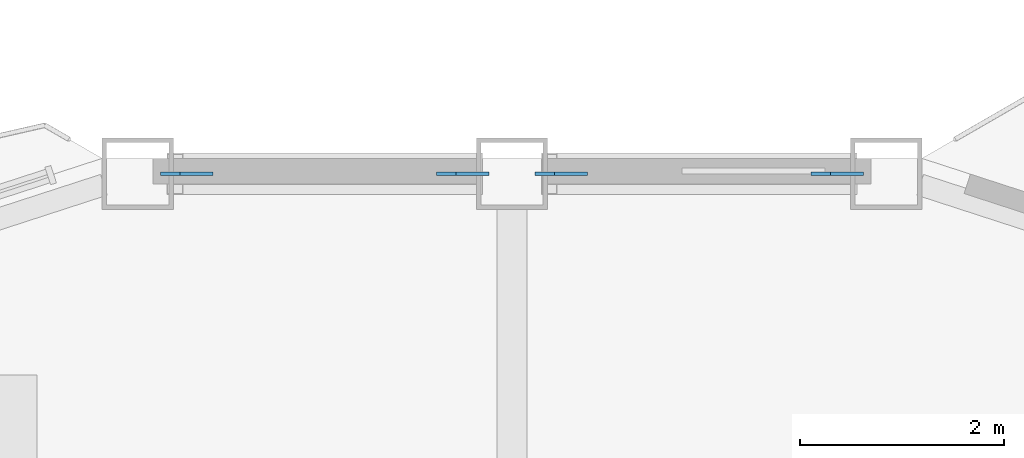
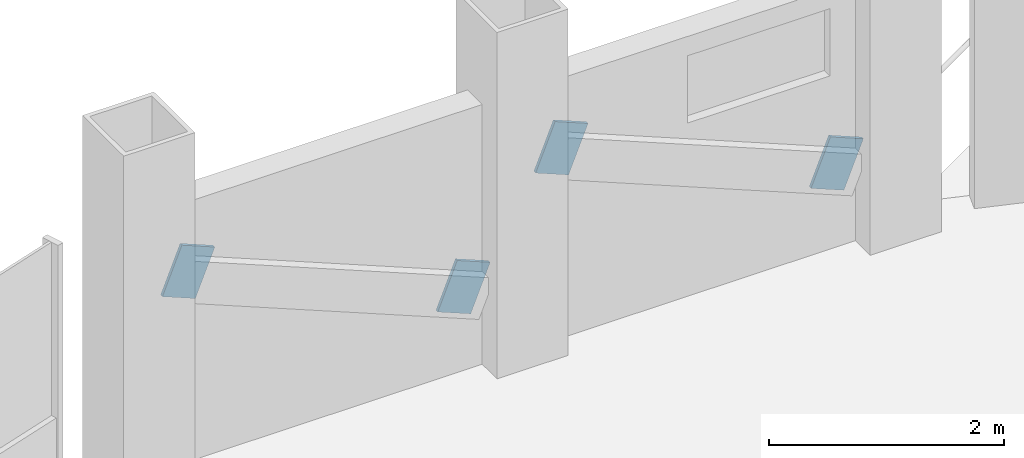
# One storey, part 18 of 23: 4 discrete accessories.
"""IFC4 building model written with IfcOpenShell, lengths in metres."""

from ifc_helpers import new_model, si_unit, direction, frame, origin, origin_2d, place, context, subcontext, project, spatial, rectangle, extrude, material, material_profile, profile_set, type_object, element, save


model = new_model("IFC4")

# Units and contexts
model_context = context("Model", 3, precision=1e-05, world=origin(), true_north=direction((0.0, 1.0)))
body_context = subcontext(model_context, "Body", "Model", "MODEL_VIEW")
ifc_project = project(units=[si_unit("LENGTHUNIT", "METRE"), si_unit("AREAUNIT", "SQUARE_METRE"), si_unit("VOLUMEUNIT", "CUBIC_METRE"), si_unit("PLANEANGLEUNIT", "RADIAN"), si_unit("MASSUNIT", "GRAM", prefix="KILO")], contexts=[model_context])

# Site, building, storey
site_placement = place(None, origin())
site = spatial("IfcSite", under=ifc_project, at=site_placement, CompositionType="ELEMENT")
building_placement = place(site_placement, origin())
building = spatial("IfcBuilding", under=site, at=building_placement, Name="Cormorant Prow Tower", CompositionType="ELEMENT")
storey_placement = place(building_placement, frame((0.0, 0.0, 256.199951171875)))
storey = spatial("IfcBuildingStorey", under=building, at=storey_placement, Name="L57", CompositionType="ELEMENT", Elevation=256.199951171875)

# Discrete accessories
ifc_material = material(Name="Structural steel ASTM A500 Gr C", Category="steel")
ifc_material_profile = material_profile(ifc_material, rectangle(XDim=0.031982421875, YDim=0.506103515625, at=origin_2d()), Name="Gusset plate 32x506")
ifc_profile_set = profile_set([ifc_material_profile], Name="Structural steel ASTM A500 Gr C")
discrete_accessory_type = type_object("IfcDiscreteAccessoryType", Name="Gusset plate 32x506", PredefinedType="BRACKET", material=ifc_profile_set)
discrete_accessory_1_placement = place(storey_placement, frame((3.027099609375, 32.073486328125, 0.863037109375), z_axis=(0.925757954086, 0.0, -0.378116662483), x_axis=(0.0, 1.0, 0.0)))
element("IfcDiscreteAccessory", 1, at=discrete_accessory_1_placement, inside=storey, type_object=discrete_accessory_type, Name="Gusset plate GP2 L57.N00.g0", PredefinedType="BRACKET", context=body_context, shape_type="SweptSolid", body=[
    extrude(rectangle(XDim=0.031982421875, YDim=0.506103515625, at=origin_2d()), origin(), (0.0, 0.0, 1.0), 0.349853515625),
])
discrete_accessory_2_placement = place(storey_placement, frame((0.643310546875, 32.073486328125, 1.837890625), z_axis=(-0.925513623242, 0.0, 0.378714316067), x_axis=(0.0, -1.0, 0.0)))
element("IfcDiscreteAccessory", 2, at=discrete_accessory_2_placement, inside=storey, type_object=discrete_accessory_type, Name="Gusset plate GP2 L57.N00.g1", PredefinedType="BRACKET", context=body_context, shape_type="SweptSolid", body=[
    extrude(rectangle(XDim=0.031982421875, YDim=0.506103515625, at=origin_2d()), origin(), (0.0, 0.0, 1.0), 0.35009765625),
])
discrete_accessory_3_placement = place(storey_placement, frame((-0.643310546875, 32.073486328125, 0.863037109375), z_axis=(0.925757954086, 0.0, -0.378116662483), x_axis=(0.0, 1.0, 0.0)))
element("IfcDiscreteAccessory", 3, at=discrete_accessory_3_placement, inside=storey, type_object=discrete_accessory_type, Name="Gusset plate GP2 L57.N01.g0", PredefinedType="BRACKET", context=body_context, shape_type="SweptSolid", body=[
    extrude(rectangle(XDim=0.031982421875, YDim=0.506103515625, at=origin_2d()), origin(), (0.0, 0.0, 1.0), 0.349853515625),
])
discrete_accessory_4_placement = place(storey_placement, frame((-3.027099609375, 32.073486328125, 1.837890625), z_axis=(-0.925513623242, 0.0, 0.378714316067), x_axis=(0.0, -1.0, 0.0)))
element("IfcDiscreteAccessory", 4, at=discrete_accessory_4_placement, inside=storey, type_object=discrete_accessory_type, Name="Gusset plate GP2 L57.N01.g1", PredefinedType="BRACKET", context=body_context, shape_type="SweptSolid", body=[
    extrude(rectangle(XDim=0.031982421875, YDim=0.506103515625, at=origin_2d()), origin(), (0.0, 0.0, 1.0), 0.35009765625),
])

save(model, "model.ifc")
